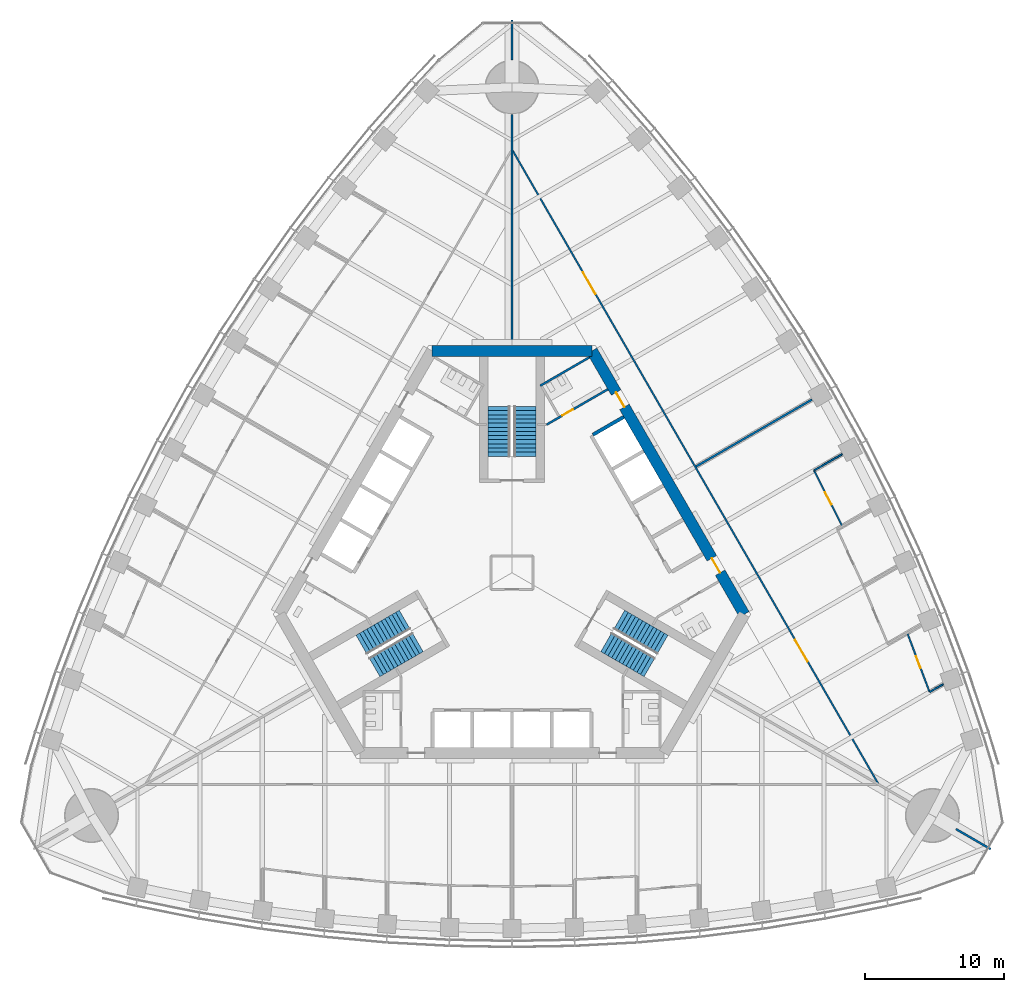
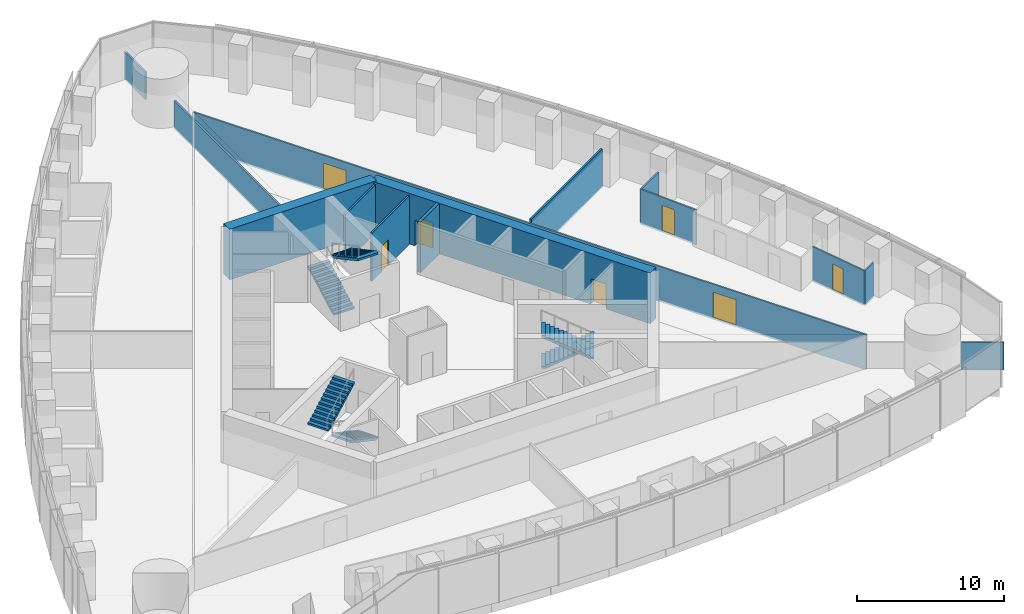
# One storey, part 14 of 19: 14 walls, 7 doors, 6 stair flights, 7 openings, 3 elements without a shape of their own.
"""IFC4 building model written with IfcOpenShell, lengths in metres."""

from ifc_helpers import new_model, si_unit, direction, frame, frame_2d, origin, place, context, subcontext, project, spatial, polyline, rectangle, outline, extrude, material, layer, layer_set, type_object, element, fill, aggregate, save


model = new_model("IFC4")

# Units and contexts
model_context = context("Model", 3, precision=1e-05, world=origin(), true_north=direction((0.0, 1.0)))
body_context = subcontext(model_context, "Body", "Model", "MODEL_VIEW")
ifc_project = project(units=[si_unit("LENGTHUNIT", "METRE"), si_unit("AREAUNIT", "SQUARE_METRE"), si_unit("VOLUMEUNIT", "CUBIC_METRE"), si_unit("PLANEANGLEUNIT", "RADIAN"), si_unit("MASSUNIT", "GRAM", prefix="KILO")], contexts=[model_context])

# Site, building, storey
site_placement = place(None, origin())
site = spatial("IfcSite", under=ifc_project, at=site_placement, CompositionType="ELEMENT")
building_placement = place(site_placement, origin())
building = spatial("IfcBuilding", under=site, at=building_placement, Name="Trefoil Bronze Tower", CompositionType="ELEMENT")
storey_placement = place(building_placement, frame((0.0, 0.0, 128.300048828125)))
storey = spatial("IfcBuildingStorey", under=building, at=storey_placement, Name="L29", CompositionType="ELEMENT", Elevation=128.300048828125)

# Wall, openings, doors
ifc_material_1 = material(Name="Concrete B80", Category="concrete")
ifc_layer_1 = layer(ifc_material_1, 0.800048828125)
ifc_layer_set_1 = layer_set([ifc_layer_1], Name="Core wall 800")
wall_type_1 = type_object("IfcWallType", Name="Core wall 800", PredefinedType="SHEAR", material=ifc_layer_set_1)
wall_1_placement = place(storey_placement, frame((16.7431640625, -3.0, 0.0), z_axis=(0.0, 0.0, 1.0), x_axis=(-0.500002442456, 0.866023993627, 0.0)))
wall_1 = element("IfcWall", 1, at=wall_1_placement, inside=storey, type_object=wall_type_1, Name="Core long wall 2 L29", PredefinedType="SHEAR", context=body_context, shape_type="SweptSolid", body=[
    extrude(rectangle(XDim=21.939453125, YDim=0.800048828125, at=frame_2d((10.9697265625, 0.0))), origin(), (0.0, 0.0, 1.0), 4.199951171875),
])
opening_1_placement = place(wall_1_placement, frame((17.269775390625, 0.0, 0.0)))
opening_1 = element("IfcOpeningElement", 2, at=opening_1_placement, cuts=wall_1, Name="Opening D2", PredefinedType="OPENING", context=body_context, shape_type="SweptSolid", body=[
    extrude(rectangle(XDim=1.199951171875, YDim=2.10009765625, at=frame_2d((0.60009765625, 1.050048828125))), frame((0.0, 0.409912109375, 0.0), z_axis=(0.0, -1.0, 0.0), x_axis=(1.0, 0.0, 0.0)), (0.0, 0.0, 1.0), 0.820068359375),
])
opening_2_placement = place(wall_1_placement, frame((3.4697265625, 0.0, 0.0)))
opening_2 = element("IfcOpeningElement", 3, at=opening_2_placement, cuts=wall_1, Name="Opening D2", PredefinedType="OPENING", context=body_context, shape_type="SweptSolid", body=[
    extrude(rectangle(XDim=1.199951171875, YDim=2.10009765625, at=frame_2d((0.60009765625, 1.050048828125))), frame((0.0, 0.409912109375, 0.0), z_axis=(0.0, -1.0, 0.0), x_axis=(1.0, 0.0, 0.0)), (0.0, 0.0, 1.0), 0.820068359375),
])
ifc_material_2 = material(Name="Steel door", Category="steel")
door_type_1 = type_object("IfcDoorType", Name="Lobby door 1200", OperationType="SINGLE_SWING_RIGHT", PredefinedType="DOOR", material=ifc_material_2)
door_1_placement = place(opening_1_placement, origin())
door_1 = element("IfcDoor", 4, at=door_1_placement, inside=storey, type_object=door_type_1, Name="Lobby door F2+ L29", OperationType="SINGLE_SWING_RIGHT", OverallHeight=2.10009765625, OverallWidth=1.199951171875, PredefinedType="DOOR", context=body_context, shape_type="SweptSolid", body=[
    extrude(rectangle(XDim=1.199951171875, YDim=2.10009765625, at=frame_2d((0.60009765625, 1.050048828125))), frame((0.0, 0.02490234375, 0.0), z_axis=(0.0, -1.0, 0.0), x_axis=(1.0, 0.0, 0.0)), (0.0, 0.0, 1.0), 0.050048828125),
])
fill(opening_1, door_1)
door_2_placement = place(opening_2_placement, origin())
door_2 = element("IfcDoor", 5, at=door_2_placement, inside=storey, type_object=door_type_1, Name="Lobby door F2- L29", OperationType="SINGLE_SWING_LEFT", OverallHeight=2.10009765625, OverallWidth=1.199951171875, PredefinedType="DOOR", context=body_context, shape_type="SweptSolid", body=[
    extrude(rectangle(XDim=1.199951171875, YDim=2.10009765625, at=frame_2d((0.60009765625, 1.050048828125))), frame((0.0, 0.02490234375, 0.0), z_axis=(0.0, -1.0, 0.0), x_axis=(1.0, 0.0, 0.0)), (0.0, 0.0, 1.0), 0.050048828125),
])
fill(opening_2, door_2)

# Wall
wall_2_placement = place(storey_placement, frame((5.7734375, 16.0, 0.0), z_axis=(0.0, 0.0, 1.0), x_axis=(-1.0, 0.0, 0.0)))
element("IfcWall", 6, at=wall_2_placement, inside=storey, type_object=wall_type_1, Name="Core short wall 2 L29", PredefinedType="SHEAR", context=body_context, shape_type="SweptSolid", body=[
    extrude(rectangle(XDim=11.546875, YDim=0.800048828125, at=frame_2d((5.7734375, 0.0))), origin(), (0.0, 0.0, 1.0), 4.199951171875),
])

# Wall, openings, doors
ifc_material_3 = material(Name="Glazed partition", Category="glass")
ifc_layer_2 = layer(ifc_material_3, 0.1201171875)
ifc_layer_set_2 = layer_set([ifc_layer_2], Name="Glazed partition 120")
wall_type_2 = type_object("IfcWallType", Name="Glazed partition 120", PredefinedType="PARTITIONING", material=ifc_layer_set_2)
wall_3_placement = place(storey_placement, frame((26.41455078125, -15.2314453125, 0.0), z_axis=(0.0, 0.0, 1.0), x_axis=(-0.50000091641, 0.866024874695, 0.0)))
wall_3 = element("IfcWall", 7, at=wall_3_placement, inside=storey, type_object=wall_type_2, Name="Partition F2 L29", PredefinedType="PARTITIONING", context=body_context, shape_type="SweptSolid", body=[
    extrude(rectangle(XDim=52.79638671875, YDim=0.1201171875, at=frame_2d((26.398193359375, 0.0))), origin(), (0.0, 0.0, 1.0), 2.89990234375),
])
opening_3_placement = place(wall_3_placement, frame((10.199951171875, 0.0, 0.14990234375)))
opening_3 = element("IfcOpeningElement", 8, at=opening_3_placement, cuts=wall_3, Name="Opening D10", PredefinedType="OPENING", context=body_context, shape_type="SweptSolid", body=[
    extrude(rectangle(XDim=1.800048828125, YDim=2.10009765625, at=frame_2d((0.89990234375, 1.050048828125))), frame((0.0, 0.070068359375, 0.0), z_axis=(0.0, -1.0, 0.0), x_axis=(1.0, 0.0, 0.0)), (0.0, 0.0, 1.0), 0.14013671875),
])
opening_4_placement = place(wall_3_placement, frame((40.800048828125, 0.0, 0.14990234375)))
opening_4 = element("IfcOpeningElement", 9, at=opening_4_placement, cuts=wall_3, Name="Opening D10", PredefinedType="OPENING", context=body_context, shape_type="SweptSolid", body=[
    extrude(rectangle(XDim=1.800048828125, YDim=2.10009765625, at=frame_2d((0.89990234375, 1.050048828125))), frame((0.0, 0.070068359375, 0.0), z_axis=(0.0, -1.0, 0.0), x_axis=(1.0, 0.0, 0.0)), (0.0, 0.0, 1.0), 0.14013671875),
])
ifc_material_4 = material(Name="Timber door", Category="wood")
door_type_2 = type_object("IfcDoorType", Name="Double door 1800", OperationType="DOUBLE_DOOR_SINGLE_SWING", PredefinedType="DOOR", material=ifc_material_4)
door_3_placement = place(opening_3_placement, origin())
door_3 = element("IfcDoor", 10, at=door_3_placement, inside=storey, type_object=door_type_2, Name="Corridor door F2 L29", OperationType="DOUBLE_DOOR_SINGLE_SWING", OverallHeight=2.10009765625, OverallWidth=1.800048828125, PredefinedType="DOOR", context=body_context, shape_type="SweptSolid", body=[
    extrude(rectangle(XDim=1.800048828125, YDim=2.10009765625, at=frame_2d((0.89990234375, 1.050048828125))), frame((0.0, 0.02490234375, 0.0), z_axis=(0.0, -1.0, 0.0), x_axis=(1.0, 0.0, 0.0)), (0.0, 0.0, 1.0), 0.050048828125),
])
fill(opening_3, door_3)
door_4_placement = place(opening_4_placement, origin())
door_4 = element("IfcDoor", 11, at=door_4_placement, inside=storey, type_object=door_type_2, Name="Corridor door F2 L29", OperationType="DOUBLE_DOOR_SINGLE_SWING", OverallHeight=2.10009765625, OverallWidth=1.800048828125, PredefinedType="DOOR", context=body_context, shape_type="SweptSolid", body=[
    extrude(rectangle(XDim=1.800048828125, YDim=2.10009765625, at=frame_2d((0.89990234375, 1.050048828125))), frame((0.0, 0.02490234375, 0.0), z_axis=(0.0, -1.0, 0.0), x_axis=(1.0, 0.0, 0.0)), (0.0, 0.0, 1.0), 0.050048828125),
])
fill(opening_4, door_4)

# Wall, opening, door
wall_4_placement = place(storey_placement, frame((30.104248046875, -8.60009765625, 0.0), z_axis=(0.0, 0.0, 1.0), x_axis=(-0.35295910498, 0.935638749845, 0.0)))
wall_4 = element("IfcWall", 12, at=wall_4_placement, inside=storey, type_object=wall_type_2, Name="Partition F2 L29", PredefinedType="PARTITIONING", context=body_context, shape_type="SweptSolid", body=[
    extrude(rectangle(XDim=4.560302734375, YDim=0.1201171875, at=frame_2d((2.2802734375, 0.0))), origin(), (0.0, 0.0, 1.0), 2.89990234375),
])
opening_5_placement = place(wall_4_placement, frame((1.85009765625, 0.0, 0.14990234375)))
opening_5 = element("IfcOpeningElement", 13, at=opening_5_placement, cuts=wall_4, Name="Opening D8", PredefinedType="OPENING", context=body_context, shape_type="SweptSolid", body=[
    extrude(rectangle(XDim=0.89990234375, YDim=2.10009765625, at=frame_2d((0.449951171875, 1.050048828125))), frame((0.0, 0.070068359375, 0.0), z_axis=(0.0, -1.0, 0.0), x_axis=(1.0, 0.0, 0.0)), (0.0, 0.0, 1.0), 0.14013671875),
])
ifc_material_5 = material(Name="Timber door", Category="wood")
door_type_3 = type_object("IfcDoorType", Name="Office door 900", OperationType="SINGLE_SWING_LEFT", PredefinedType="DOOR", material=ifc_material_5)
door_5_placement = place(opening_5_placement, frame((0.89990234375, 0.0, 0.0), z_axis=(0.0, 0.0, 1.0), x_axis=(-1.0, 0.0, 0.0)))
door_5 = element("IfcDoor", 14, at=door_5_placement, inside=storey, type_object=door_type_3, Name="Print and store room door F2 L29", OperationType="SINGLE_SWING_LEFT", OverallHeight=2.10009765625, OverallWidth=0.89990234375, PredefinedType="DOOR", context=body_context, shape_type="SweptSolid", body=[
    extrude(rectangle(XDim=0.89990234375, YDim=2.10009765625, at=frame_2d((0.449951171875, 1.050048828125))), frame((0.0, 0.02490234375, 0.0), z_axis=(0.0, -1.0, 0.0), x_axis=(1.0, 0.0, 0.0)), (0.0, 0.0, 1.0), 0.050048828125),
])
fill(opening_5, door_5)

wall_5_placement = place(storey_placement, frame((23.812255859375, 3.355712890625, 0.0), z_axis=(0.0, 0.0, 1.0), x_axis=(-0.452449820092, 0.891789863308, 0.0)))
wall_5 = element("IfcWall", 15, at=wall_5_placement, inside=storey, type_object=wall_type_2, Name="Partition F2 L29", PredefinedType="PARTITIONING", context=body_context, shape_type="SweptSolid", body=[
    extrude(rectangle(XDim=4.5068359375, YDim=0.1201171875, at=frame_2d((2.25341796875, 0.0))), origin(), (0.0, 0.0, 1.0), 2.89990234375),
])
opening_6_placement = place(wall_5_placement, frame((1.75, 0.0, 0.14990234375)))
opening_6 = element("IfcOpeningElement", 16, at=opening_6_placement, cuts=wall_5, Name="Opening D9", PredefinedType="OPENING", context=body_context, shape_type="SweptSolid", body=[
    extrude(rectangle(XDim=1.0, YDim=2.10009765625, at=frame_2d((0.5, 1.050048828125))), frame((0.0, 0.070068359375, 0.0), z_axis=(0.0, -1.0, 0.0), x_axis=(1.0, 0.0, 0.0)), (0.0, 0.0, 1.0), 0.14013671875),
])
ifc_material_6 = material(Name="Glazed timber door", Category="wood")
door_type_4 = type_object("IfcDoorType", Name="Meeting room door 1000", OperationType="SINGLE_SWING_LEFT", PredefinedType="DOOR", material=ifc_material_6)
door_6_placement = place(opening_6_placement, frame((1.0, 0.0, 0.0), z_axis=(0.0, 0.0, 1.0), x_axis=(-1.0, 0.0, 0.0)))
door_6 = element("IfcDoor", 17, at=door_6_placement, inside=storey, type_object=door_type_4, Name="Project room door F2 L29", OperationType="SINGLE_SWING_RIGHT", OverallHeight=2.10009765625, OverallWidth=1.0, PredefinedType="DOOR", context=body_context, shape_type="SweptSolid", body=[
    extrude(rectangle(XDim=1.0, YDim=2.10009765625, at=frame_2d((0.5, 1.050048828125))), frame((0.0, 0.02490234375, 0.0), z_axis=(0.0, -1.0, 0.0), x_axis=(1.0, 0.0, 0.0)), (0.0, 0.0, 1.0), 0.050048828125),
])
fill(opening_6, door_6)

# Walls
wall_6_placement = place(storey_placement, frame((30.104248046875, -8.60009765625, 0.0), z_axis=(0.0, 0.0, 1.0), x_axis=(0.866041729639, 0.499971721724, 0.0)))
element("IfcWall", 18, at=wall_6_placement, inside=storey, type_object=wall_type_2, Name="Partition F2 L29", PredefinedType="PARTITIONING", context=body_context, shape_type="SweptSolid", body=[
    extrude(rectangle(XDim=1.13037109375, YDim=0.1201171875, at=frame_2d((0.565185546875, 0.0))), origin(), (0.0, 0.0, 1.0), 2.89990234375),
])
wall_7_placement = place(storey_placement, frame((21.773193359375, 7.374755859375, 0.0), z_axis=(0.0, 0.0, 1.0), x_axis=(0.866055506462, 0.499947857008, 0.0)))
element("IfcWall", 19, at=wall_7_placement, inside=storey, type_object=wall_type_2, Name="Partition F2 L29", PredefinedType="PARTITIONING", context=body_context, shape_type="SweptSolid", body=[
    extrude(rectangle(XDim=2.343994140625, YDim=0.1201171875, at=frame_2d((1.171875, 0.0))), origin(), (0.0, 0.0, 1.0), 2.89990234375),
])

# Wall, opening, door
ifc_material_7 = material(Name="Gypsum board on steel studs", Category="steel")
ifc_layer_3 = layer(ifc_material_7, 0.14990234375)
ifc_layer_set_3 = layer_set([ifc_layer_3], Name="Partition 150")
wall_type_3 = type_object("IfcWallType", Name="Partition 150", PredefinedType="PARTITIONING", material=ifc_layer_set_3)
wall_8_placement = place(storey_placement, frame((2.4951171875, 10.67822265625, 0.0), z_axis=(0.0, 0.0, 1.0), x_axis=(0.86602216432, 0.500005610874, 0.0)))
wall_8 = element("IfcWall", 20, at=wall_8_placement, inside=storey, type_object=wall_type_3, Name="Passage wall F2+ L29", PredefinedType="PARTITIONING", context=body_context, shape_type="SweptSolid", body=[
    extrude(rectangle(XDim=5.10009765625, YDim=0.14990234375, at=frame_2d((2.550048828125, 0.0))), origin(), (0.0, 0.0, 1.0), 4.0),
])
opening_7_placement = place(wall_8_placement, frame((1.300048828125, 0.0, 0.0)))
opening_7 = element("IfcOpeningElement", 21, at=opening_7_placement, cuts=wall_8, Name="Opening D3", PredefinedType="OPENING", context=body_context, shape_type="SweptSolid", body=[
    extrude(rectangle(XDim=0.89990234375, YDim=2.10009765625, at=frame_2d((0.449951171875, 1.050048828125))), frame((0.0, 0.0849609375, 0.0), z_axis=(0.0, -1.0, 0.0), x_axis=(1.0, 0.0, 0.0)), (0.0, 0.0, 1.0), 0.169921875),
])
ifc_material_8 = material(Name="Timber door", Category="wood")
door_type_5 = type_object("IfcDoorType", Name="WC door 900", OperationType="SINGLE_SWING_LEFT", PredefinedType="DOOR", material=ifc_material_8)
door_7_placement = place(opening_7_placement, origin())
door_7 = element("IfcDoor", 22, at=door_7_placement, inside=storey, type_object=door_type_5, Name="WC (men) door L29", OperationType="SINGLE_SWING_LEFT", OverallHeight=2.10009765625, OverallWidth=0.89990234375, PredefinedType="DOOR", context=body_context, shape_type="SweptSolid", body=[
    extrude(rectangle(XDim=0.89990234375, YDim=2.10009765625, at=frame_2d((0.449951171875, 1.050048828125))), frame((0.0, 0.02490234375, 0.0), z_axis=(0.0, -1.0, 0.0), x_axis=(1.0, 0.0, 0.0)), (0.0, 0.0, 1.0), 0.050048828125),
])
fill(opening_7, door_7)

# Walls
wall_9_placement = place(storey_placement, frame((2.03125, 13.48193359375, 0.0), z_axis=(0.0, 0.0, 1.0), x_axis=(0.866050731258, 0.499956128963, 0.0)))
element("IfcWall", 23, at=wall_9_placement, inside=storey, type_object=wall_type_3, Name="WC partition WC (men) L29", PredefinedType="PARTITIONING", context=body_context, shape_type="SweptSolid", body=[
    extrude(rectangle(XDim=4.099853515625, YDim=0.14990234375, at=frame_2d((2.0498046875, 0.0))), origin(), (0.0, 0.0, 1.0), 4.0),
])
ifc_material_9 = material(Name="Gypsum board on steel studs", Category="steel")
ifc_layer_4 = layer(ifc_material_9, 0.14990234375)
ifc_layer_set_4 = layer_set([ifc_layer_4], Name="Party wall 150")
wall_type_4 = type_object("IfcWallType", Name="Party wall 150", PredefinedType="PARTITIONING", material=ifc_layer_set_4)
wall_10_placement = place(storey_placement, frame((31.999755859375, -18.47509765625, 0.0), z_axis=(0.0, 0.0, 1.0), x_axis=(0.866042548026, -0.499970304126, 0.0)))
element("IfcWall", 24, at=wall_10_placement, inside=storey, type_object=wall_type_4, Name="Party wall K1 L29", PredefinedType="PARTITIONING", context=body_context, shape_type="SweptSolid", body=[
    extrude(rectangle(XDim=2.899169921875, YDim=0.14990234375, at=frame_2d((1.44970703125, 0.0))), origin(), (0.0, 0.0, 1.0), 2.300048828125),
])
wall_11_placement = place(storey_placement, frame((0.0, 16.39990234375, 0.0), z_axis=(0.0, 0.0, 1.0), x_axis=(0.0, 1.0, 0.0)))
element("IfcWall", 25, at=wall_11_placement, inside=storey, type_object=wall_type_4, Name="Party wall K2 L29", PredefinedType="PARTITIONING", context=body_context, shape_type="SweptSolid", body=[
    extrude(rectangle(XDim=16.650146484375, YDim=0.14990234375, at=frame_2d((8.3251953125, 0.0))), origin(), (0.0, 0.0, 1.0), 2.300048828125),
])
wall_12_placement = place(storey_placement, frame((0.0, 36.949951171875, 0.0), z_axis=(0.0, 0.0, 1.0), x_axis=(0.0, 1.0, 0.0)))
element("IfcWall", 26, at=wall_12_placement, inside=storey, type_object=wall_type_4, Name="Party wall K2 L29", PredefinedType="PARTITIONING", context=body_context, shape_type="SweptSolid", body=[
    extrude(rectangle(XDim=2.8994140625, YDim=0.14990234375, at=frame_2d((1.44970703125, 0.0))), origin(), (0.0, 0.0, 1.0), 2.300048828125),
])
wall_13_placement = place(storey_placement, frame((13.267578125, 7.659912109375, 0.0), z_axis=(0.0, 0.0, 1.0), x_axis=(0.866015788683, 0.500016653474, 0.0)))
element("IfcWall", 27, at=wall_13_placement, inside=storey, type_object=wall_type_4, Name="Demising wall F2 L29", PredefinedType="PARTITIONING", context=body_context, shape_type="SweptSolid", body=[
    extrude(rectangle(XDim=9.649658203125, YDim=0.14990234375, at=frame_2d((4.82470703125, 0.0))), origin(), (0.0, 0.0, 1.0), 3.199951171875),
])
ifc_material_10 = material(Name="Concrete B80", Category="concrete")
ifc_layer_5 = layer(ifc_material_10, 0.25)
ifc_layer_set_5 = layer_set([ifc_layer_5], Name="Shaft wall 250")
wall_type_5 = type_object("IfcWallType", Name="Shaft wall 250", PredefinedType="SHEAR", material=ifc_layer_set_5)
wall_14_placement = place(storey_placement, frame((5.831787109375, 9.94873046875, 0.0), z_axis=(0.0, 0.0, 1.0), x_axis=(0.866029291668, 0.499993265928, 0.0)))
element("IfcWall", 28, at=wall_14_placement, inside=storey, type_object=wall_type_5, Name="Lift shaft side wall B4 L29", PredefinedType="SHEAR", context=body_context, shape_type="SweptSolid", body=[
    extrude(rectangle(XDim=2.5751953125, YDim=0.25, at=frame_2d((1.28759765625, 0.0))), origin(), (0.0, 0.0, 1.0), 4.199951171875),
])

# Stair, stair flights
ifc_material_11 = material(Name="Precast concrete B80", Category="concrete")
stair_type = type_object("IfcStairType", Name="Exit stair 26 risers", PredefinedType="HALF_TURN_STAIR", material=ifc_material_11)
stair_1_placement = place(storey_placement, origin())
stair_1 = element("IfcStair", 29, at=stair_1_placement, inside=storey, type_object=stair_type, Name="Stair ST1 L29", PredefinedType="HALF_TURN_STAIR")
ifc_material_12 = material(Name="Precast concrete B80", Category="concrete")
stair_flight_type = type_object("IfcStairFlightType", Name="Stair flight 1600", PredefinedType="STRAIGHT", material=ifc_material_12)
stair_flight_1_placement = place(storey_placement, frame((7.728515625, -3.39404296875, 0.0), z_axis=(0.0, 0.0, 1.0), x_axis=(0.866025403784, -0.5, 0.0)))
stair_flight_1 = element("IfcStairFlight", 30, at=stair_flight_1_placement, type_object=stair_flight_type, Name="ST1 flight 1", NumberOfRisers=13, NumberOfTreads=12, PredefinedType="STRAIGHT", RiserHeight=0.161538462, TreadLength=0.3, context=body_context, shape_type="SweptSolid", body=[
    extrude(outline(polyline([(0.0, 0.0), (0.0, 0.16162109375), (0.300048828125, 0.16162109375), (0.300048828125, 0.322998046875), (0.60009765625, 0.322998046875), (0.60009765625, 0.484619140625), (0.89990234375, 0.484619140625), (0.89990234375, 0.646240234375), (1.199951171875, 0.646240234375), (1.199951171875, 0.8076171875), (1.5, 0.8076171875), (1.5, 0.96923828125), (1.800048828125, 0.96923828125), (1.800048828125, 1.130859375), (2.10009765625, 1.130859375), (2.10009765625, 1.292236328125), (2.39990234375, 1.292236328125), (2.39990234375, 1.453857421875), (2.699951171875, 1.453857421875), (2.699951171875, 1.615478515625), (3.0, 1.615478515625), (3.0, 1.77685546875), (3.300048828125, 1.77685546875), (3.300048828125, 1.9384765625), (3.60009765625, 1.9384765625), (3.60009765625, 2.10009765625), (3.60009765625, 1.768310546875), (0.316162109375, 0.0), (0.0, 0.0)])), frame((0.0, 0.800048828125, 0.0), z_axis=(0.0, -1.0, 0.0), x_axis=(1.0, 0.0, 0.0)), (0.0, 0.0, 1.0), 1.60009765625),
])
stair_flight_2_placement = place(storey_placement, frame((9.921142578125, -6.796142578125, 2.099853515625), z_axis=(0.0, 0.0, 1.0), x_axis=(-0.866025403784, 0.5, 0.0)))
stair_flight_2 = element("IfcStairFlight", 31, at=stair_flight_2_placement, type_object=stair_flight_type, Name="ST1 flight 2", NumberOfRisers=13, NumberOfTreads=12, PredefinedType="STRAIGHT", RiserHeight=0.161538462, TreadLength=0.3, context=body_context, shape_type="SweptSolid", body=[
    extrude(outline(polyline([(0.0, 0.0), (0.0, 0.16162109375), (0.300048828125, 0.16162109375), (0.300048828125, 0.322998046875), (0.60009765625, 0.322998046875), (0.60009765625, 0.484619140625), (0.89990234375, 0.484619140625), (0.89990234375, 0.646240234375), (1.199951171875, 0.646240234375), (1.199951171875, 0.8076171875), (1.5, 0.8076171875), (1.5, 0.96923828125), (1.800048828125, 0.96923828125), (1.800048828125, 1.130859375), (2.10009765625, 1.130859375), (2.10009765625, 1.292236328125), (2.39990234375, 1.292236328125), (2.39990234375, 1.453857421875), (2.699951171875, 1.453857421875), (2.699951171875, 1.615478515625), (3.0, 1.615478515625), (3.0, 1.77685546875), (3.300048828125, 1.77685546875), (3.300048828125, 1.9384765625), (3.60009765625, 1.9384765625), (3.60009765625, 2.10009765625), (3.60009765625, 1.768310546875), (0.316162109375, 0.0), (0.0, 0.0)])), frame((0.0, 0.800048828125, 0.0), z_axis=(0.0, -1.0, 0.0), x_axis=(1.0, 0.0, 0.0)), (0.0, 0.0, 1.0), 1.60009765625),
])
aggregate(stair_1, [stair_flight_1, stair_flight_2])

stair_2_placement = place(storey_placement, origin())
stair_2 = element("IfcStair", 32, at=stair_2_placement, inside=storey, type_object=stair_type, Name="Stair ST2 L29", PredefinedType="HALF_TURN_STAIR")
stair_flight_3_placement = place(storey_placement, frame((-0.925048828125, 8.389892578125, 0.0), z_axis=(0.0, 0.0, 1.0), x_axis=(0.0, 1.0, 0.0)))
stair_flight_3 = element("IfcStairFlight", 33, at=stair_flight_3_placement, type_object=stair_flight_type, Name="ST2 flight 1", NumberOfRisers=13, NumberOfTreads=12, PredefinedType="STRAIGHT", RiserHeight=0.161538462, TreadLength=0.3, context=body_context, shape_type="SweptSolid", body=[
    extrude(outline(polyline([(0.0, 0.0), (0.0, 0.16162109375), (0.300048828125, 0.16162109375), (0.300048828125, 0.322998046875), (0.60009765625, 0.322998046875), (0.60009765625, 0.484619140625), (0.89990234375, 0.484619140625), (0.89990234375, 0.646240234375), (1.199951171875, 0.646240234375), (1.199951171875, 0.8076171875), (1.5, 0.8076171875), (1.5, 0.96923828125), (1.800048828125, 0.96923828125), (1.800048828125, 1.130859375), (2.10009765625, 1.130859375), (2.10009765625, 1.292236328125), (2.39990234375, 1.292236328125), (2.39990234375, 1.453857421875), (2.699951171875, 1.453857421875), (2.699951171875, 1.615478515625), (3.0, 1.615478515625), (3.0, 1.77685546875), (3.300048828125, 1.77685546875), (3.300048828125, 1.9384765625), (3.60009765625, 1.9384765625), (3.60009765625, 2.10009765625), (3.60009765625, 1.768310546875), (0.316162109375, 0.0), (0.0, 0.0)])), frame((0.0, 0.800048828125, 0.0), z_axis=(0.0, -1.0, 0.0), x_axis=(1.0, 0.0, 0.0)), (0.0, 0.0, 1.0), 1.60009765625),
])
stair_flight_4_placement = place(storey_placement, frame((0.925048828125, 11.989990234375, 2.099853515625), z_axis=(0.0, 0.0, 1.0), x_axis=(0.0, -1.0, 0.0)))
stair_flight_4 = element("IfcStairFlight", 34, at=stair_flight_4_placement, type_object=stair_flight_type, Name="ST2 flight 2", NumberOfRisers=13, NumberOfTreads=12, PredefinedType="STRAIGHT", RiserHeight=0.161538462, TreadLength=0.3, context=body_context, shape_type="SweptSolid", body=[
    extrude(outline(polyline([(0.0, 0.0), (0.0, 0.16162109375), (0.300048828125, 0.16162109375), (0.300048828125, 0.322998046875), (0.60009765625, 0.322998046875), (0.60009765625, 0.484619140625), (0.89990234375, 0.484619140625), (0.89990234375, 0.646240234375), (1.199951171875, 0.646240234375), (1.199951171875, 0.8076171875), (1.5, 0.8076171875), (1.5, 0.96923828125), (1.800048828125, 0.96923828125), (1.800048828125, 1.130859375), (2.10009765625, 1.130859375), (2.10009765625, 1.292236328125), (2.39990234375, 1.292236328125), (2.39990234375, 1.453857421875), (2.699951171875, 1.453857421875), (2.699951171875, 1.615478515625), (3.0, 1.615478515625), (3.0, 1.77685546875), (3.300048828125, 1.77685546875), (3.300048828125, 1.9384765625), (3.60009765625, 1.9384765625), (3.60009765625, 2.10009765625), (3.60009765625, 1.768310546875), (0.316162109375, 0.0), (0.0, 0.0)])), frame((0.0, 0.800048828125, 0.0), z_axis=(0.0, -1.0, 0.0), x_axis=(1.0, 0.0, 0.0)), (0.0, 0.0, 1.0), 1.60009765625),
])
aggregate(stair_2, [stair_flight_3, stair_flight_4])

stair_3_placement = place(storey_placement, origin())
stair_3 = element("IfcStair", 35, at=stair_3_placement, inside=storey, type_object=stair_type, Name="Stair ST3 L29", PredefinedType="HALF_TURN_STAIR")
stair_flight_5_placement = place(storey_placement, frame((-6.803466796875, -4.99609375, 0.0), z_axis=(0.0, 0.0, 1.0), x_axis=(-0.866025403784, -0.5, 0.0)))
stair_flight_5 = element("IfcStairFlight", 36, at=stair_flight_5_placement, type_object=stair_flight_type, Name="ST3 flight 1", NumberOfRisers=13, NumberOfTreads=12, PredefinedType="STRAIGHT", RiserHeight=0.161538462, TreadLength=0.3, context=body_context, shape_type="SweptSolid", body=[
    extrude(outline(polyline([(0.0, 0.0), (0.0, 0.16162109375), (0.300048828125, 0.16162109375), (0.300048828125, 0.322998046875), (0.60009765625, 0.322998046875), (0.60009765625, 0.484619140625), (0.89990234375, 0.484619140625), (0.89990234375, 0.646240234375), (1.199951171875, 0.646240234375), (1.199951171875, 0.8076171875), (1.5, 0.8076171875), (1.5, 0.96923828125), (1.800048828125, 0.96923828125), (1.800048828125, 1.130859375), (2.10009765625, 1.130859375), (2.10009765625, 1.292236328125), (2.39990234375, 1.292236328125), (2.39990234375, 1.453857421875), (2.699951171875, 1.453857421875), (2.699951171875, 1.615478515625), (3.0, 1.615478515625), (3.0, 1.77685546875), (3.300048828125, 1.77685546875), (3.300048828125, 1.9384765625), (3.60009765625, 1.9384765625), (3.60009765625, 2.10009765625), (3.60009765625, 1.768310546875), (0.316162109375, 0.0), (0.0, 0.0)])), frame((0.0, 0.800048828125, 0.0), z_axis=(0.0, -1.0, 0.0), x_axis=(1.0, 0.0, 0.0)), (0.0, 0.0, 1.0), 1.60009765625),
])
stair_flight_6_placement = place(storey_placement, frame((-10.84619140625, -5.19384765625, 2.099853515625), z_axis=(0.0, 0.0, 1.0), x_axis=(0.866025403784, 0.5, 0.0)))
stair_flight_6 = element("IfcStairFlight", 37, at=stair_flight_6_placement, type_object=stair_flight_type, Name="ST3 flight 2", NumberOfRisers=13, NumberOfTreads=12, PredefinedType="STRAIGHT", RiserHeight=0.161538462, TreadLength=0.3, context=body_context, shape_type="SweptSolid", body=[
    extrude(outline(polyline([(0.0, 0.0), (0.0, 0.16162109375), (0.300048828125, 0.16162109375), (0.300048828125, 0.322998046875), (0.60009765625, 0.322998046875), (0.60009765625, 0.484619140625), (0.89990234375, 0.484619140625), (0.89990234375, 0.646240234375), (1.199951171875, 0.646240234375), (1.199951171875, 0.8076171875), (1.5, 0.8076171875), (1.5, 0.96923828125), (1.800048828125, 0.96923828125), (1.800048828125, 1.130859375), (2.10009765625, 1.130859375), (2.10009765625, 1.292236328125), (2.39990234375, 1.292236328125), (2.39990234375, 1.453857421875), (2.699951171875, 1.453857421875), (2.699951171875, 1.615478515625), (3.0, 1.615478515625), (3.0, 1.77685546875), (3.300048828125, 1.77685546875), (3.300048828125, 1.9384765625), (3.60009765625, 1.9384765625), (3.60009765625, 2.10009765625), (3.60009765625, 1.768310546875), (0.316162109375, 0.0), (0.0, 0.0)])), frame((0.0, 0.800048828125, 0.0), z_axis=(0.0, -1.0, 0.0), x_axis=(1.0, 0.0, 0.0)), (0.0, 0.0, 1.0), 1.60009765625),
])
aggregate(stair_3, [stair_flight_5, stair_flight_6])

save(model, "model.ifc")
